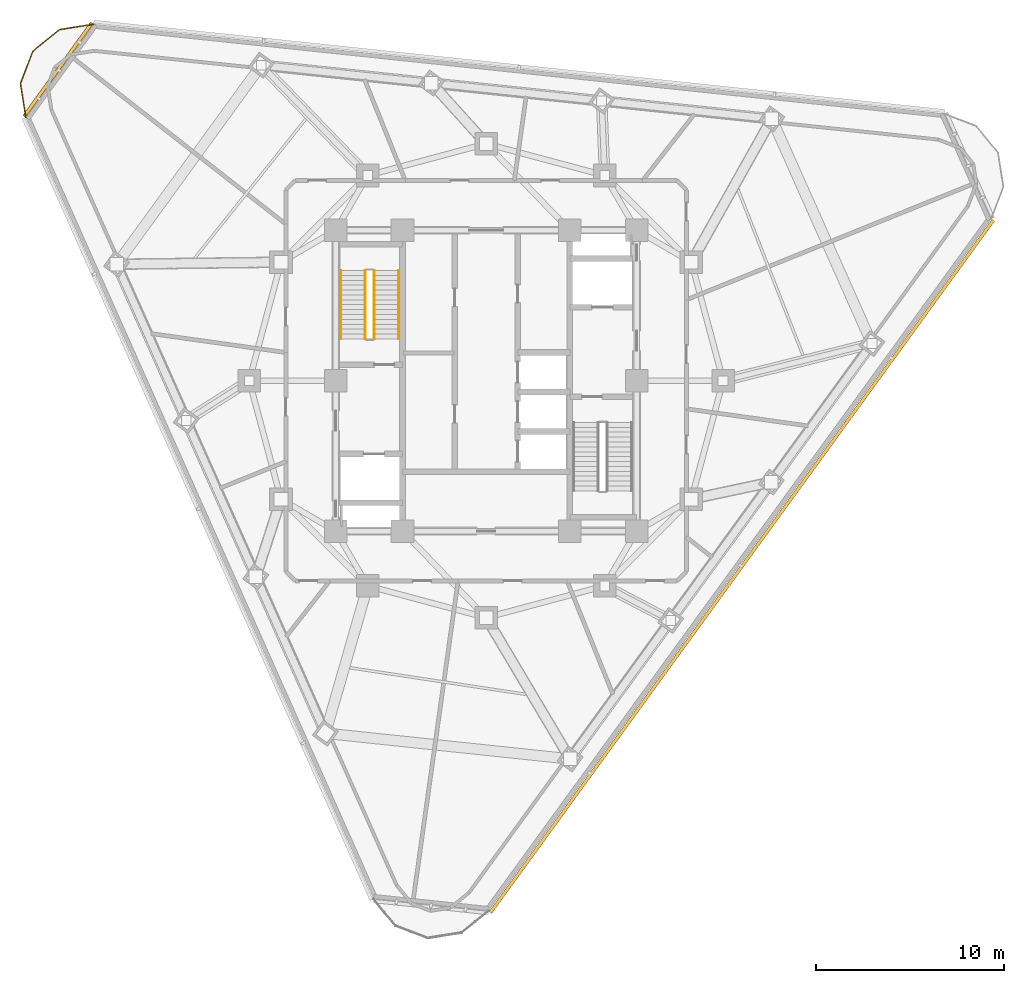
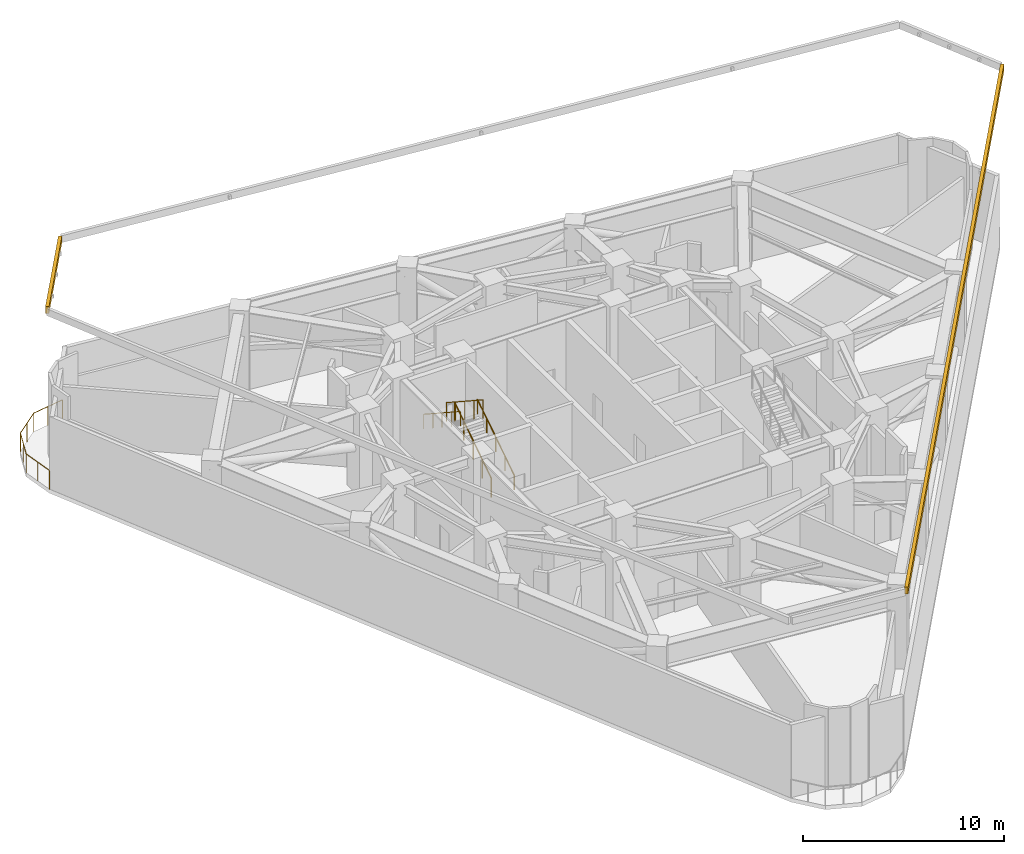
# One storey, part 9 of 10: 5 railings, 2 shading devices.
"""IFC4 building model written with IfcOpenShell, lengths in metres."""

from ifc_helpers import new_model, si_unit, direction, frame, origin, origin_2d, place, context, subcontext, project, spatial, rectangle, circle, extrude, material, layer, layer_set, type_object, element, save


model = new_model("IFC4")

# Units and contexts
model_context = context("Model", 3, precision=1e-05, world=origin(), true_north=direction((0.0, 1.0)))
body_context = subcontext(model_context, "Body", "Model", "MODEL_VIEW")
ifc_project = project(units=[si_unit("LENGTHUNIT", "METRE"), si_unit("AREAUNIT", "SQUARE_METRE"), si_unit("VOLUMEUNIT", "CUBIC_METRE"), si_unit("PLANEANGLEUNIT", "RADIAN"), si_unit("MASSUNIT", "GRAM", prefix="KILO")], contexts=[model_context])

# Site, building, storey
site_placement = place(None, origin())
site = spatial("IfcSite", under=ifc_project, at=site_placement, CompositionType="ELEMENT")
building_placement = place(site_placement, origin())
building = spatial("IfcBuilding", under=site, at=building_placement, Name="Terralouvre Media Tower", CompositionType="ELEMENT")
storey_placement = place(building_placement, frame((0.0, 0.0, 213.800048828125)))
storey = spatial("IfcBuildingStorey", under=building, at=storey_placement, Name="L55", CompositionType="ELEMENT", Elevation=213.800048828125)

# Shading devices
ifc_material_1 = material(Name="Extruded terracotta baguette sunshade louvres", Category="masonry")
shading_device_type = type_object("IfcShadingDeviceType", Name="Refuge Plant Acoustic Terracotta Louvre Grill TB-LV2", PredefinedType="JALOUSIE", material=ifc_material_1)
shading_device_1_placement = place(storey_placement, frame((13.59521484375, -9.87744140625, 10.6298828125), z_axis=(0.0, 0.0, 1.0), x_axis=(0.587785300879, 0.809016959074, 0.0)))
element("IfcShadingDevice", 1, at=shading_device_1_placement, inside=storey, type_object=shading_device_type, Name="CW-L55-F0 Refuge Acoustic Terracotta Louvre", PredefinedType="JALOUSIE", context=body_context, shape_type="SweptSolid", body=[
    extrude(rectangle(XDim=45.5, YDim=0.179931640625, at=origin_2d()), origin(), (0.0, 0.0, 1.0), 0.419921875),
])
shading_device_2_placement = place(storey_placement, frame((-22.769287109375, 16.54296875, 10.6298828125), z_axis=(0.0, 0.0, 1.0), x_axis=(-0.58778588998, -0.809016531067, 0.0)))
element("IfcShadingDevice", 2, at=shading_device_2_placement, inside=storey, type_object=shading_device_type, Name="CW-L55-C2 Refuge Acoustic Terracotta Louvre", PredefinedType="JALOUSIE", context=body_context, shape_type="SweptSolid", body=[
    extrude(rectangle(XDim=6.148681640625, YDim=0.179931640625, at=origin_2d()), origin(), (0.0, 0.0, 1.0), 0.419921875),
])

# Railings
ifc_material_2 = material(Name="Stainless steel 316 handrail and balustrade", Category="steel")
ifc_layer_1 = layer(ifc_material_2, 0.06005859375, Name="Roof Edge Safety Guardrail GR-ROOF1")
ifc_layer_set_1 = layer_set([ifc_layer_1], Name="Stainless steel 316 handrail and balustrade")
railing_type_1 = type_object("IfcRailingType", Name="Roof Edge Safety Guardrail GR-ROOF1", PredefinedType="GUARDRAIL", material=ifc_layer_set_1)
railing_1_placement = place(storey_placement, frame((-20.870361328125, 18.961181640625, 0.0)))
element("IfcRailing", 3, at=railing_1_placement, inside=storey, type_object=railing_type_1, Name="L55 Wind-Corner Perimeter Safety Guardrail C2", PredefinedType="GUARDRAIL", context=body_context, shape_type="SweptSolid", body=[
    extrude(circle(Radius=0.02099609375, at=origin_2d()), frame((0.0, 0.0, 1.12890625), z_axis=(-0.987731695444, -0.156160487372, 0.0), x_axis=(0.156160487372, -0.987731695444, 0.0)), (0.0, 0.0, 1.0), 1.8369140625),
    extrude(circle(Radius=0.02099609375, at=origin_2d()), frame((-1.814453125, -0.286865234375, 1.12890625), z_axis=(-0.777198436724, -0.629255583967, 0.0), x_axis=(0.629255583967, -0.777198436724, 0.0)), (0.0, 0.0, 1.0), 1.836669921875),
    extrude(circle(Radius=0.02099609375, at=origin_2d()), frame((-3.241943359375, -1.442626953125, 1.12890625), z_axis=(-0.35822186013, -0.933636491856, 0.0), x_axis=(0.933636491856, -0.35822186013, 0.0)), (0.0, 0.0, 1.0), 1.836669921875),
    extrude(circle(Radius=0.02099609375, at=origin_2d()), frame((-3.89990234375, -3.157470703125, 1.12890625), z_axis=(0.156699635824, -0.987646305178, 0.0), x_axis=(0.987646305178, 0.156699635824, 0.0)), (0.0, 0.0, 1.0), 1.8369140625),
    extrude(circle(Radius=0.01904296875, at=origin_2d()), origin(), (0.0, 0.0, 1.0), 1.10791015625),
    extrude(circle(Radius=0.01904296875, at=origin_2d()), frame((-0.9072265625, -0.1435546875, 0.0)), (0.0, 0.0, 1.0), 1.10791015625),
    extrude(circle(Radius=0.01904296875, at=origin_2d()), frame((-1.814453125, -0.286865234375, 0.0)), (0.0, 0.0, 1.0), 1.10791015625),
    extrude(circle(Radius=0.01904296875, at=origin_2d()), frame((-2.5283203125, -0.86474609375, 0.0)), (0.0, 0.0, 1.0), 1.10791015625),
    extrude(circle(Radius=0.01904296875, at=origin_2d()), frame((-3.241943359375, -1.442626953125, 0.0)), (0.0, 0.0, 1.0), 1.10791015625),
    extrude(circle(Radius=0.01904296875, at=origin_2d()), frame((-3.57080078125, -2.300048828125, 0.0)), (0.0, 0.0, 1.0), 1.10791015625),
    extrude(circle(Radius=0.01904296875, at=origin_2d()), frame((-3.89990234375, -3.157470703125, 0.0)), (0.0, 0.0, 1.0), 1.10791015625),
    extrude(circle(Radius=0.01904296875, at=origin_2d()), frame((-3.755859375, -4.064453125, 0.0)), (0.0, 0.0, 1.0), 1.10791015625),
    extrude(circle(Radius=0.01904296875, at=origin_2d()), frame((-3.612060546875, -4.9716796875, 0.0)), (0.0, 0.0, 1.0), 1.10791015625),
])
ifc_material_3 = material(Name="Stainless steel 316 handrail and balustrade", Category="steel")
ifc_layer_2 = layer(ifc_material_3, 0.050048828125, Name="Stair Flight Wall Handrail HR-INT1")
ifc_layer_set_2 = layer_set([ifc_layer_2], Name="Stainless steel 316 handrail and balustrade")
railing_type_2 = type_object("IfcRailingType", Name="Stair Flight Wall Handrail HR-INT1", PredefinedType="HANDRAIL", material=ifc_layer_set_2)
railing_2_placement = place(storey_placement, frame((-4.64990234375, 2.219970703125, 0.169921875)))
element("IfcRailing", 4, at=railing_2_placement, inside=storey, type_object=railing_type_2, Name="L55 ST-01 stair handrail 1", PredefinedType="HANDRAIL", context=body_context, shape_type="SweptSolid", body=[
    extrude(circle(Radius=0.02392578125, at=origin_2d()), frame((0.0, 0.0, 0.8759765625), z_axis=(0.0, 0.836965658359, 0.547255412699), x_axis=(-1.0, 0.0, 0.0)), (0.0, 0.0, 1.0), 4.34912109375),
    extrude(circle(Radius=0.02099609375, at=origin_2d()), origin(), (0.0, 0.0, 1.0), 0.851806640625),
    extrude(circle(Radius=0.02099609375, at=origin_2d()), frame((0.0, 0.91015625, 0.594970703125)), (0.0, 0.0, 1.0), 0.851806640625),
    extrude(circle(Radius=0.02099609375, at=origin_2d()), frame((0.0, 1.820068359375, 1.18994140625)), (0.0, 0.0, 1.0), 0.851806640625),
    extrude(circle(Radius=0.02099609375, at=origin_2d()), frame((0.0, 2.72998046875, 1.78515625)), (0.0, 0.0, 1.0), 0.851806640625),
    extrude(circle(Radius=0.02099609375, at=origin_2d()), frame((0.0, 3.64013671875, 2.380126953125)), (0.0, 0.0, 1.0), 0.851806640625),
])
railing_3_placement = place(storey_placement, frame((-7.72998046875, 5.860107421875, 2.719970703125)))
element("IfcRailing", 5, at=railing_3_placement, inside=storey, type_object=railing_type_2, Name="L55 ST-01 stair handrail 2", PredefinedType="HANDRAIL", context=body_context, shape_type="SweptSolid", body=[
    extrude(circle(Radius=0.02392578125, at=origin_2d()), frame((0.0, 0.0, 0.8759765625), z_axis=(0.0, -0.836991369742, 0.547216088011), x_axis=(1.0, 0.0, 0.0)), (0.0, 0.0, 1.0), 4.34912109375),
    extrude(circle(Radius=0.02099609375, at=origin_2d()), origin(), (0.0, 0.0, 1.0), 0.851806640625),
    extrude(circle(Radius=0.02099609375, at=origin_2d()), frame((0.0, -0.91015625, 0.594970703125)), (0.0, 0.0, 1.0), 0.851806640625),
    extrude(circle(Radius=0.02099609375, at=origin_2d()), frame((0.0, -1.820068359375, 1.18994140625)), (0.0, 0.0, 1.0), 0.851806640625),
    extrude(circle(Radius=0.02099609375, at=origin_2d()), frame((0.0, -2.72998046875, 1.784912109375)), (0.0, 0.0, 1.0), 0.851806640625),
    extrude(circle(Radius=0.02099609375, at=origin_2d()), frame((0.0, -3.64013671875, 2.3798828125)), (0.0, 0.0, 1.0), 0.851806640625),
])
ifc_material_4 = material(Name="Stainless steel 316 handrail and balustrade", Category="steel")
ifc_layer_3 = layer(ifc_material_4, 0.050048828125, Name="Stairwell Safety Guardrail GR-INT1")
ifc_layer_set_3 = layer_set([ifc_layer_3], Name="Stainless steel 316 handrail and balustrade")
railing_type_3 = type_object("IfcRailingType", Name="Stairwell Safety Guardrail GR-INT1", PredefinedType="GUARDRAIL", material=ifc_layer_set_3)
railing_4_placement = place(storey_placement, frame((-5.949951171875, 2.219970703125, 0.169921875)))
element("IfcRailing", 6, at=railing_4_placement, inside=storey, type_object=railing_type_3, Name="L55 ST-01 stair guard 1", PredefinedType="GUARDRAIL", context=body_context, shape_type="SweptSolid", body=[
    extrude(circle(Radius=0.02392578125, at=origin_2d()), frame((0.0, 0.0, 1.1259765625), z_axis=(0.0, 0.836965658359, 0.547255412699), x_axis=(-1.0, 0.0, 0.0)), (0.0, 0.0, 1.0), 4.34912109375),
    extrude(circle(Radius=0.02099609375, at=origin_2d()), origin(), (0.0, 0.0, 1.0), 1.101806640625),
    extrude(circle(Radius=0.02099609375, at=origin_2d()), frame((0.0, 0.91015625, 0.594970703125)), (0.0, 0.0, 1.0), 1.101806640625),
    extrude(circle(Radius=0.02099609375, at=origin_2d()), frame((0.0, 1.820068359375, 1.18994140625)), (0.0, 0.0, 1.0), 1.101806640625),
    extrude(circle(Radius=0.02099609375, at=origin_2d()), frame((0.0, 2.72998046875, 1.78515625)), (0.0, 0.0, 1.0), 1.101806640625),
    extrude(circle(Radius=0.02099609375, at=origin_2d()), frame((0.0, 3.64013671875, 2.380126953125)), (0.0, 0.0, 1.0), 1.101806640625),
])
railing_5_placement = place(storey_placement, frame((-6.429931640625, 5.860107421875, 2.719970703125)))
element("IfcRailing", 7, at=railing_5_placement, inside=storey, type_object=railing_type_3, Name="L55 ST-01 stair guard 3", PredefinedType="GUARDRAIL", context=body_context, shape_type="SweptSolid", body=[
    extrude(circle(Radius=0.02392578125, at=origin_2d()), frame((0.0, 0.0, 1.1259765625), z_axis=(0.0, -0.836991369742, 0.547216088011), x_axis=(1.0, 0.0, 0.0)), (0.0, 0.0, 1.0), 4.34912109375),
    extrude(circle(Radius=0.02099609375, at=origin_2d()), origin(), (0.0, 0.0, 1.0), 1.101806640625),
    extrude(circle(Radius=0.02099609375, at=origin_2d()), frame((0.0, -0.91015625, 0.594970703125)), (0.0, 0.0, 1.0), 1.101806640625),
    extrude(circle(Radius=0.02099609375, at=origin_2d()), frame((0.0, -1.820068359375, 1.18994140625)), (0.0, 0.0, 1.0), 1.101806640625),
    extrude(circle(Radius=0.02099609375, at=origin_2d()), frame((0.0, -2.72998046875, 1.784912109375)), (0.0, 0.0, 1.0), 1.101806640625),
    extrude(circle(Radius=0.02099609375, at=origin_2d()), frame((0.0, -3.64013671875, 2.3798828125)), (0.0, 0.0, 1.0), 1.101806640625),
])

save(model, "model.ifc")
